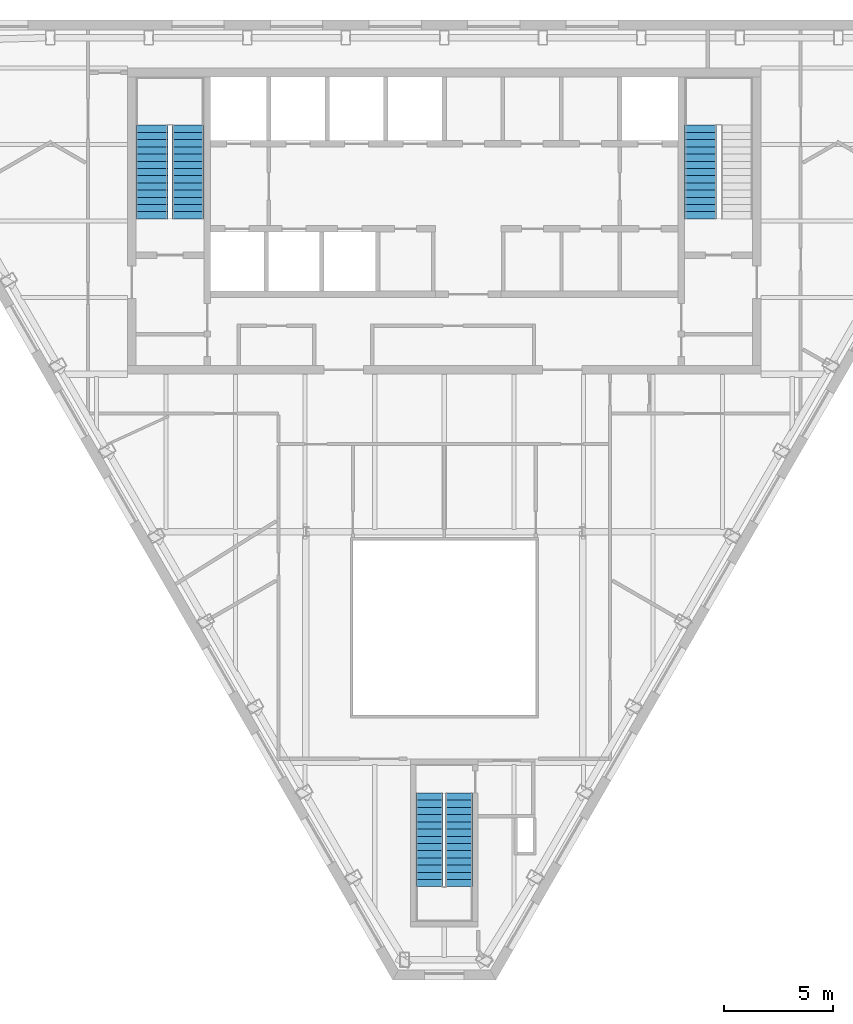
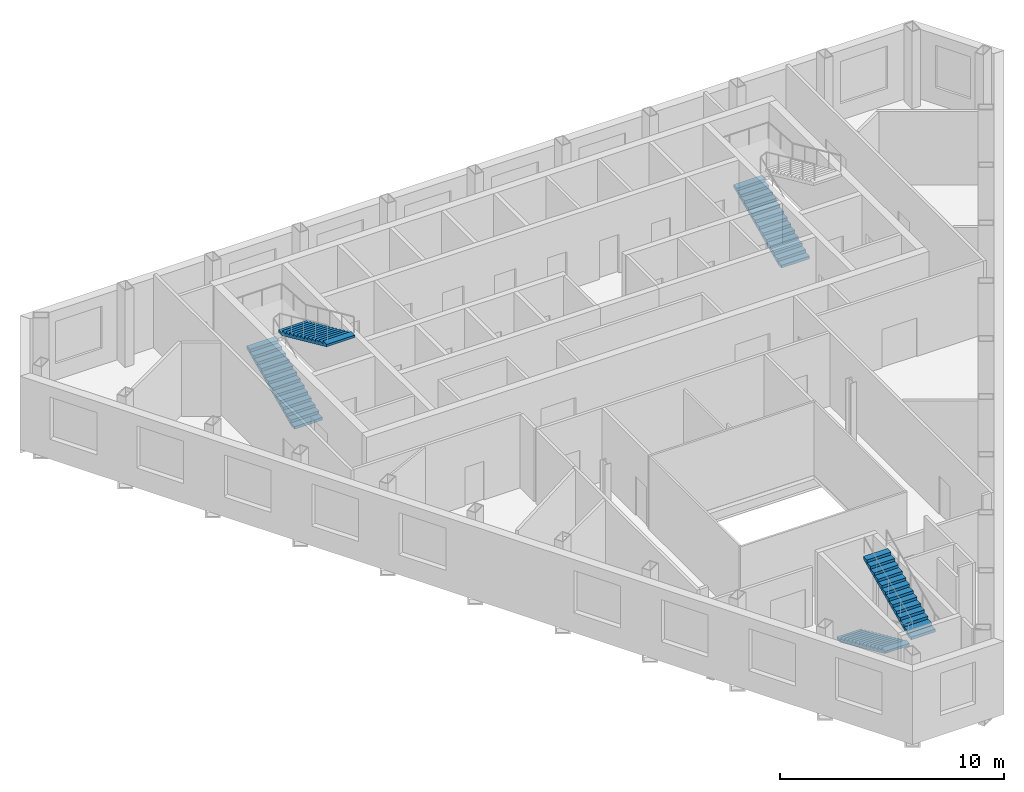
# One storey, part 8 of 10: 5 stair flights, 3 elements without a shape of their own.
"""IFC4 building model written with IfcOpenShell, lengths in metres."""

from ifc_helpers import new_model, si_unit, direction, frame, origin, place, context, subcontext, project, spatial, polygons, material, type_object, element, aggregate, save


model = new_model("IFC4")

# Units and contexts
model_context = context("Model", 3, precision=1e-05, world=origin(), true_north=direction((0.0, 1.0)))
body_context = subcontext(model_context, "Body", "Model", "MODEL_VIEW")
ifc_project = project(units=[si_unit("LENGTHUNIT", "METRE"), si_unit("AREAUNIT", "SQUARE_METRE"), si_unit("VOLUMEUNIT", "CUBIC_METRE"), si_unit("PLANEANGLEUNIT", "RADIAN"), si_unit("MASSUNIT", "GRAM", prefix="KILO")], contexts=[model_context])

# Site, building, storey
site_placement = place(None, origin())
site = spatial("IfcSite", under=ifc_project, at=site_placement, CompositionType="ELEMENT")
building_placement = place(site_placement, origin())
building = spatial("IfcBuilding", under=site, at=building_placement, Name="Njiva Tower", CompositionType="ELEMENT")
storey_placement = place(building_placement, frame((0.0, 0.0, 304.2)))
storey = spatial("IfcBuildingStorey", under=building, at=storey_placement, Name="L69", CompositionType="ELEMENT", Elevation=304.2)

# Stair, stair flights
ifc_material = material(Name="Concrete C40/50", Category="concrete")
stair_type_1 = type_object("IfcStairType", Name="ST1 Exit stair 1250", PredefinedType="HALF_TURN_STAIR", material=ifc_material)
stair_1_placement = place(storey_placement, origin())
stair_1 = element("IfcStair", 1, at=stair_1_placement, inside=storey, type_object=stair_type_1, Name="Stair C", PredefinedType="HALF_TURN_STAIR")
stair_flight_type_1 = type_object("IfcStairFlightType", Name="FL1 Stair flight 1250", PredefinedType="STRAIGHT", material=ifc_material)
stair_flight_1_placement = place(storey_placement, frame((-0.675, -15.16, 0.0), z_axis=(0.0, 0.0, 1.0), x_axis=(0.0, -1.0, 0.0)))
stair_flight_1 = element("IfcStairFlight", 2, at=stair_flight_1_placement, type_object=stair_flight_type_1, Name="ST-C flight 1", NumberOfRisers=14, NumberOfTreads=13, PredefinedType="STRAIGHT", RiserHeight=0.15, TreadLength=0.33, context=body_context, shape_type="Tessellation", body=[
    polygons([(0.0, 0.625, 0.0), (0.0, 0.3125, 0.0), (0.0, 0.0, 0.0), (0.0, -0.3125, 0.0), (0.0, -0.625, 0.0), (0.0, 0.625, 0.15), (0.0, 0.3125, 0.15), (0.0, 0.0, 0.15), (0.0, -0.3125, 0.15), (0.0, -0.625, 0.15), (0.33, 0.625, 0.15), (0.33, 0.3125, 0.15), (0.33, 0.0, 0.15), (0.33, -0.3125, 0.15), (0.33, -0.625, 0.15), (0.33, 0.625, 0.3), (0.33, 0.3125, 0.3), (0.33, 0.0, 0.3), (0.33, -0.3125, 0.3), (0.33, -0.625, 0.3), (0.66, 0.625, 0.3), (0.66, 0.3125, 0.3), (0.66, 0.0, 0.3), (0.66, -0.3125, 0.3), (0.66, -0.625, 0.3), (0.66, 0.625, 0.45), (0.66, 0.3125, 0.45), (0.66, 0.0, 0.45), (0.66, -0.3125, 0.45), (0.66, -0.625, 0.45), (0.99, 0.625, 0.45), (0.99, 0.3125, 0.45), (0.99, 0.0, 0.45), (0.99, -0.3125, 0.45), (0.99, -0.625, 0.45), (0.99, 0.625, 0.6), (0.99, 0.3125, 0.6), (0.99, 0.0, 0.6), (0.99, -0.3125, 0.6), (0.99, -0.625, 0.6), (1.32, 0.625, 0.6), (1.32, 0.3125, 0.6), (1.32, 0.0, 0.6), (1.32, -0.3125, 0.6), (1.32, -0.625, 0.6), (1.32, 0.625, 0.75), (1.32, 0.3125, 0.75), (1.32, 0.0, 0.75), (1.32, -0.3125, 0.75), (1.32, -0.625, 0.75), (1.65, 0.625, 0.75), (1.65, 0.3125, 0.75), (1.65, 0.0, 0.75), (1.65, -0.3125, 0.75), (1.65, -0.625, 0.75), (1.65, 0.625, 0.9), (1.65, 0.3125, 0.9), (1.65, 0.0, 0.9), (1.65, -0.3125, 0.9), (1.65, -0.625, 0.9), (1.98, 0.625, 0.9), (1.98, 0.3125, 0.9), (1.98, 0.0, 0.9), (1.98, -0.3125, 0.9), (1.98, -0.625, 0.9), (1.98, 0.625, 1.05), (1.98, 0.3125, 1.05), (1.98, 0.0, 1.05), (1.98, -0.3125, 1.05), (1.98, -0.625, 1.05), (2.31, 0.625, 1.05), (2.31, 0.3125, 1.05), (2.31, 0.0, 1.05), (2.31, -0.3125, 1.05), (2.31, -0.625, 1.05), (2.31, 0.625, 1.2), (2.31, 0.3125, 1.2), (2.31, 0.0, 1.2), (2.31, -0.3125, 1.2), (2.31, -0.625, 1.2), (2.64, 0.625, 1.2), (2.64, 0.3125, 1.2), (2.64, 0.0, 1.2), (2.64, -0.3125, 1.2), (2.64, -0.625, 1.2), (2.64, 0.625, 1.35), (2.64, 0.3125, 1.35), (2.64, 0.0, 1.35), (2.64, -0.3125, 1.35), (2.64, -0.625, 1.35), (2.97, 0.625, 1.35), (2.97, 0.3125, 1.35), (2.97, 0.0, 1.35), (2.97, -0.3125, 1.35), (2.97, -0.625, 1.35), (2.97, 0.625, 1.5), (2.97, 0.3125, 1.5), (2.97, 0.0, 1.5), (2.97, -0.3125, 1.5), (2.97, -0.625, 1.5), (3.3, 0.625, 1.5), (3.3, 0.3125, 1.5), (3.3, 0.0, 1.5), (3.3, -0.3125, 1.5), (3.3, -0.625, 1.5), (3.3, 0.625, 1.65), (3.3, 0.3125, 1.65), (3.3, 0.0, 1.65), (3.3, -0.3125, 1.65), (3.3, -0.625, 1.65), (3.63, 0.625, 1.65), (3.63, 0.3125, 1.65), (3.63, 0.0, 1.65), (3.63, -0.3125, 1.65), (3.63, -0.625, 1.65), (3.63, 0.625, 1.8), (3.63, 0.3125, 1.8), (3.63, 0.0, 1.8), (3.63, -0.3125, 1.8), (3.63, -0.625, 1.8), (3.96, 0.625, 1.8), (3.96, 0.3125, 1.8), (3.96, 0.0, 1.8), (3.96, -0.3125, 1.8), (3.96, -0.625, 1.8), (3.96, 0.625, 1.95), (3.96, 0.3125, 1.95), (3.96, 0.0, 1.95), (3.96, -0.3125, 1.95), (3.96, -0.625, 1.95), (4.29, 0.625, 1.95), (4.29, 0.3125, 1.95), (4.29, 0.0, 1.95), (4.29, -0.3125, 1.95), (4.29, -0.625, 1.95), (4.29, 0.625, 1.8182), (4.29, 0.3125, 1.8182), (4.29, 0.0, 1.8182), (4.29, -0.3125, 1.8182), (4.29, -0.625, 1.8182), (0.29, 0.625, 0.0), (0.29, 0.3125, 0.0), (0.29, 0.0, 0.0), (0.29, -0.3125, 0.0), (0.29, -0.625, 0.0)], [[[1, 6, 11, 16, 21, 26, 31, 36, 41, 46, 51, 56, 61, 66, 71, 76, 81, 86, 91, 96, 101, 106, 111, 116, 121, 126, 131, 136, 141]], [[145, 140, 135, 130, 125, 120, 115, 110, 105, 100, 95, 90, 85, 80, 75, 70, 65, 60, 55, 50, 45, 40, 35, 30, 25, 20, 15, 10, 5]], [[6, 1, 2, 7]], [[7, 2, 3, 8]], [[8, 3, 4, 9]], [[9, 4, 5, 10]], [[11, 6, 7, 12]], [[12, 7, 8, 13]], [[13, 8, 9, 14]], [[14, 9, 10, 15]], [[16, 11, 12, 17]], [[17, 12, 13, 18]], [[18, 13, 14, 19]], [[19, 14, 15, 20]], [[21, 16, 17, 22]], [[22, 17, 18, 23]], [[23, 18, 19, 24]], [[24, 19, 20, 25]], [[26, 21, 22, 27]], [[27, 22, 23, 28]], [[28, 23, 24, 29]], [[29, 24, 25, 30]], [[31, 26, 27, 32]], [[32, 27, 28, 33]], [[33, 28, 29, 34]], [[34, 29, 30, 35]], [[36, 31, 32, 37]], [[37, 32, 33, 38]], [[38, 33, 34, 39]], [[39, 34, 35, 40]], [[41, 36, 37, 42]], [[42, 37, 38, 43]], [[43, 38, 39, 44]], [[44, 39, 40, 45]], [[46, 41, 42, 47]], [[47, 42, 43, 48]], [[48, 43, 44, 49]], [[49, 44, 45, 50]], [[51, 46, 47, 52]], [[52, 47, 48, 53]], [[53, 48, 49, 54]], [[54, 49, 50, 55]], [[56, 51, 52, 57]], [[57, 52, 53, 58]], [[58, 53, 54, 59]], [[59, 54, 55, 60]], [[61, 56, 57, 62]], [[62, 57, 58, 63]], [[63, 58, 59, 64]], [[64, 59, 60, 65]], [[66, 61, 62, 67]], [[67, 62, 63, 68]], [[68, 63, 64, 69]], [[69, 64, 65, 70]], [[71, 66, 67, 72]], [[72, 67, 68, 73]], [[73, 68, 69, 74]], [[74, 69, 70, 75]], [[76, 71, 72, 77]], [[77, 72, 73, 78]], [[78, 73, 74, 79]], [[79, 74, 75, 80]], [[81, 76, 77, 82]], [[82, 77, 78, 83]], [[83, 78, 79, 84]], [[84, 79, 80, 85]], [[86, 81, 82, 87]], [[87, 82, 83, 88]], [[88, 83, 84, 89]], [[89, 84, 85, 90]], [[91, 86, 87, 92]], [[92, 87, 88, 93]], [[93, 88, 89, 94]], [[94, 89, 90, 95]], [[96, 91, 92, 97]], [[97, 92, 93, 98]], [[98, 93, 94, 99]], [[99, 94, 95, 100]], [[101, 96, 97, 102]], [[102, 97, 98, 103]], [[103, 98, 99, 104]], [[104, 99, 100, 105]], [[106, 101, 102, 107]], [[107, 102, 103, 108]], [[108, 103, 104, 109]], [[109, 104, 105, 110]], [[111, 106, 107, 112]], [[112, 107, 108, 113]], [[113, 108, 109, 114]], [[114, 109, 110, 115]], [[116, 111, 112, 117]], [[117, 112, 113, 118]], [[118, 113, 114, 119]], [[119, 114, 115, 120]], [[121, 116, 117, 122]], [[122, 117, 118, 123]], [[123, 118, 119, 124]], [[124, 119, 120, 125]], [[126, 121, 122, 127]], [[127, 122, 123, 128]], [[128, 123, 124, 129]], [[129, 124, 125, 130]], [[131, 126, 127, 132]], [[132, 127, 128, 133]], [[133, 128, 129, 134]], [[134, 129, 130, 135]], [[136, 131, 132, 137]], [[137, 132, 133, 138]], [[138, 133, 134, 139]], [[139, 134, 135, 140]], [[141, 136, 137, 142]], [[142, 137, 138, 143]], [[143, 138, 139, 144]], [[144, 139, 140, 145]], [[1, 141, 142, 2]], [[2, 142, 143, 3]], [[3, 143, 144, 4]], [[4, 144, 145, 5]]], closed=True),
])
stair_flight_2_placement = place(storey_placement, frame((0.675, -19.45, 2.1), z_axis=(0.0, 0.0, 1.0), x_axis=(0.0, 1.0, 0.0)))
stair_flight_2 = element("IfcStairFlight", 3, at=stair_flight_2_placement, type_object=stair_flight_type_1, Name="ST-C flight 2", NumberOfRisers=14, NumberOfTreads=13, PredefinedType="STRAIGHT", RiserHeight=0.15, TreadLength=0.33, context=body_context, shape_type="Tessellation", body=[
    polygons([(0.0, 0.625, 0.0), (0.0, 0.3125, 0.0), (0.0, 0.0, 0.0), (0.0, -0.3125, 0.0), (0.0, -0.625, 0.0), (0.0, 0.625, 0.15), (0.0, 0.3125, 0.15), (0.0, 0.0, 0.15), (0.0, -0.3125, 0.15), (0.0, -0.625, 0.15), (0.33, 0.625, 0.15), (0.33, 0.3125, 0.15), (0.33, 0.0, 0.15), (0.33, -0.3125, 0.15), (0.33, -0.625, 0.15), (0.33, 0.625, 0.3), (0.33, 0.3125, 0.3), (0.33, 0.0, 0.3), (0.33, -0.3125, 0.3), (0.33, -0.625, 0.3), (0.66, 0.625, 0.3), (0.66, 0.3125, 0.3), (0.66, 0.0, 0.3), (0.66, -0.3125, 0.3), (0.66, -0.625, 0.3), (0.66, 0.625, 0.45), (0.66, 0.3125, 0.45), (0.66, 0.0, 0.45), (0.66, -0.3125, 0.45), (0.66, -0.625, 0.45), (0.99, 0.625, 0.45), (0.99, 0.3125, 0.45), (0.99, 0.0, 0.45), (0.99, -0.3125, 0.45), (0.99, -0.625, 0.45), (0.99, 0.625, 0.6), (0.99, 0.3125, 0.6), (0.99, 0.0, 0.6), (0.99, -0.3125, 0.6), (0.99, -0.625, 0.6), (1.32, 0.625, 0.6), (1.32, 0.3125, 0.6), (1.32, 0.0, 0.6), (1.32, -0.3125, 0.6), (1.32, -0.625, 0.6), (1.32, 0.625, 0.75), (1.32, 0.3125, 0.75), (1.32, 0.0, 0.75), (1.32, -0.3125, 0.75), (1.32, -0.625, 0.75), (1.65, 0.625, 0.75), (1.65, 0.3125, 0.75), (1.65, 0.0, 0.75), (1.65, -0.3125, 0.75), (1.65, -0.625, 0.75), (1.65, 0.625, 0.9), (1.65, 0.3125, 0.9), (1.65, 0.0, 0.9), (1.65, -0.3125, 0.9), (1.65, -0.625, 0.9), (1.98, 0.625, 0.9), (1.98, 0.3125, 0.9), (1.98, 0.0, 0.9), (1.98, -0.3125, 0.9), (1.98, -0.625, 0.9), (1.98, 0.625, 1.05), (1.98, 0.3125, 1.05), (1.98, 0.0, 1.05), (1.98, -0.3125, 1.05), (1.98, -0.625, 1.05), (2.31, 0.625, 1.05), (2.31, 0.3125, 1.05), (2.31, 0.0, 1.05), (2.31, -0.3125, 1.05), (2.31, -0.625, 1.05), (2.31, 0.625, 1.2), (2.31, 0.3125, 1.2), (2.31, 0.0, 1.2), (2.31, -0.3125, 1.2), (2.31, -0.625, 1.2), (2.64, 0.625, 1.2), (2.64, 0.3125, 1.2), (2.64, 0.0, 1.2), (2.64, -0.3125, 1.2), (2.64, -0.625, 1.2), (2.64, 0.625, 1.35), (2.64, 0.3125, 1.35), (2.64, 0.0, 1.35), (2.64, -0.3125, 1.35), (2.64, -0.625, 1.35), (2.97, 0.625, 1.35), (2.97, 0.3125, 1.35), (2.97, 0.0, 1.35), (2.97, -0.3125, 1.35), (2.97, -0.625, 1.35), (2.97, 0.625, 1.5), (2.97, 0.3125, 1.5), (2.97, 0.0, 1.5), (2.97, -0.3125, 1.5), (2.97, -0.625, 1.5), (3.3, 0.625, 1.5), (3.3, 0.3125, 1.5), (3.3, 0.0, 1.5), (3.3, -0.3125, 1.5), (3.3, -0.625, 1.5), (3.3, 0.625, 1.65), (3.3, 0.3125, 1.65), (3.3, 0.0, 1.65), (3.3, -0.3125, 1.65), (3.3, -0.625, 1.65), (3.63, 0.625, 1.65), (3.63, 0.3125, 1.65), (3.63, 0.0, 1.65), (3.63, -0.3125, 1.65), (3.63, -0.625, 1.65), (3.63, 0.625, 1.8), (3.63, 0.3125, 1.8), (3.63, 0.0, 1.8), (3.63, -0.3125, 1.8), (3.63, -0.625, 1.8), (3.96, 0.625, 1.8), (3.96, 0.3125, 1.8), (3.96, 0.0, 1.8), (3.96, -0.3125, 1.8), (3.96, -0.625, 1.8), (3.96, 0.625, 1.95), (3.96, 0.3125, 1.95), (3.96, 0.0, 1.95), (3.96, -0.3125, 1.95), (3.96, -0.625, 1.95), (4.29, 0.625, 1.95), (4.29, 0.3125, 1.95), (4.29, 0.0, 1.95), (4.29, -0.3125, 1.95), (4.29, -0.625, 1.95), (4.29, 0.625, 1.8182), (4.29, 0.3125, 1.8182), (4.29, 0.0, 1.8182), (4.29, -0.3125, 1.8182), (4.29, -0.625, 1.8182), (0.29, 0.625, 0.0), (0.29, 0.3125, 0.0), (0.29, 0.0, 0.0), (0.29, -0.3125, 0.0), (0.29, -0.625, 0.0)], [[[1, 6, 11, 16, 21, 26, 31, 36, 41, 46, 51, 56, 61, 66, 71, 76, 81, 86, 91, 96, 101, 106, 111, 116, 121, 126, 131, 136, 141]], [[145, 140, 135, 130, 125, 120, 115, 110, 105, 100, 95, 90, 85, 80, 75, 70, 65, 60, 55, 50, 45, 40, 35, 30, 25, 20, 15, 10, 5]], [[6, 1, 2, 7]], [[7, 2, 3, 8]], [[8, 3, 4, 9]], [[9, 4, 5, 10]], [[11, 6, 7, 12]], [[12, 7, 8, 13]], [[13, 8, 9, 14]], [[14, 9, 10, 15]], [[16, 11, 12, 17]], [[17, 12, 13, 18]], [[18, 13, 14, 19]], [[19, 14, 15, 20]], [[21, 16, 17, 22]], [[22, 17, 18, 23]], [[23, 18, 19, 24]], [[24, 19, 20, 25]], [[26, 21, 22, 27]], [[27, 22, 23, 28]], [[28, 23, 24, 29]], [[29, 24, 25, 30]], [[31, 26, 27, 32]], [[32, 27, 28, 33]], [[33, 28, 29, 34]], [[34, 29, 30, 35]], [[36, 31, 32, 37]], [[37, 32, 33, 38]], [[38, 33, 34, 39]], [[39, 34, 35, 40]], [[41, 36, 37, 42]], [[42, 37, 38, 43]], [[43, 38, 39, 44]], [[44, 39, 40, 45]], [[46, 41, 42, 47]], [[47, 42, 43, 48]], [[48, 43, 44, 49]], [[49, 44, 45, 50]], [[51, 46, 47, 52]], [[52, 47, 48, 53]], [[53, 48, 49, 54]], [[54, 49, 50, 55]], [[56, 51, 52, 57]], [[57, 52, 53, 58]], [[58, 53, 54, 59]], [[59, 54, 55, 60]], [[61, 56, 57, 62]], [[62, 57, 58, 63]], [[63, 58, 59, 64]], [[64, 59, 60, 65]], [[66, 61, 62, 67]], [[67, 62, 63, 68]], [[68, 63, 64, 69]], [[69, 64, 65, 70]], [[71, 66, 67, 72]], [[72, 67, 68, 73]], [[73, 68, 69, 74]], [[74, 69, 70, 75]], [[76, 71, 72, 77]], [[77, 72, 73, 78]], [[78, 73, 74, 79]], [[79, 74, 75, 80]], [[81, 76, 77, 82]], [[82, 77, 78, 83]], [[83, 78, 79, 84]], [[84, 79, 80, 85]], [[86, 81, 82, 87]], [[87, 82, 83, 88]], [[88, 83, 84, 89]], [[89, 84, 85, 90]], [[91, 86, 87, 92]], [[92, 87, 88, 93]], [[93, 88, 89, 94]], [[94, 89, 90, 95]], [[96, 91, 92, 97]], [[97, 92, 93, 98]], [[98, 93, 94, 99]], [[99, 94, 95, 100]], [[101, 96, 97, 102]], [[102, 97, 98, 103]], [[103, 98, 99, 104]], [[104, 99, 100, 105]], [[106, 101, 102, 107]], [[107, 102, 103, 108]], [[108, 103, 104, 109]], [[109, 104, 105, 110]], [[111, 106, 107, 112]], [[112, 107, 108, 113]], [[113, 108, 109, 114]], [[114, 109, 110, 115]], [[116, 111, 112, 117]], [[117, 112, 113, 118]], [[118, 113, 114, 119]], [[119, 114, 115, 120]], [[121, 116, 117, 122]], [[122, 117, 118, 123]], [[123, 118, 119, 124]], [[124, 119, 120, 125]], [[126, 121, 122, 127]], [[127, 122, 123, 128]], [[128, 123, 124, 129]], [[129, 124, 125, 130]], [[131, 126, 127, 132]], [[132, 127, 128, 133]], [[133, 128, 129, 134]], [[134, 129, 130, 135]], [[136, 131, 132, 137]], [[137, 132, 133, 138]], [[138, 133, 134, 139]], [[139, 134, 135, 140]], [[141, 136, 137, 142]], [[142, 137, 138, 143]], [[143, 138, 139, 144]], [[144, 139, 140, 145]], [[1, 141, 142, 2]], [[2, 142, 143, 3]], [[3, 143, 144, 4]], [[4, 144, 145, 5]]], closed=True),
])
aggregate(stair_1, [stair_flight_1, stair_flight_2])

stair_type_2 = type_object("IfcStairType", Name="ST3 Exit stair 1450", PredefinedType="HALF_TURN_STAIR", material=ifc_material)
stair_2_placement = place(storey_placement, origin())
stair_2 = element("IfcStair", 4, at=stair_2_placement, inside=storey, type_object=stair_type_2, Name="Stair A", PredefinedType="HALF_TURN_STAIR")
stair_flight_type_2 = type_object("IfcStairFlightType", Name="FL3 Stair flight 1450", PredefinedType="STRAIGHT", material=ifc_material)
stair_flight_3_placement = place(storey_placement, frame((-13.375, 11.1, 0.0), z_axis=(0.0, 0.0, 1.0), x_axis=(0.0, 1.0, 0.0)))
stair_flight_3 = element("IfcStairFlight", 5, at=stair_flight_3_placement, type_object=stair_flight_type_2, Name="ST-A flight 1", NumberOfRisers=14, NumberOfTreads=13, PredefinedType="STRAIGHT", RiserHeight=0.15, TreadLength=0.33, context=body_context, shape_type="Tessellation", body=[
    polygons([(0.0, 0.725, 0.0), (0.0, 0.3625, 0.0), (0.0, 0.0, 0.0), (0.0, -0.3625, 0.0), (0.0, -0.725, 0.0), (0.0, 0.725, 0.15), (0.0, 0.3625, 0.15), (0.0, 0.0, 0.15), (0.0, -0.3625, 0.15), (0.0, -0.725, 0.15), (0.33, 0.725, 0.15), (0.33, 0.3625, 0.15), (0.33, 0.0, 0.15), (0.33, -0.3625, 0.15), (0.33, -0.725, 0.15), (0.33, 0.725, 0.3), (0.33, 0.3625, 0.3), (0.33, 0.0, 0.3), (0.33, -0.3625, 0.3), (0.33, -0.725, 0.3), (0.66, 0.725, 0.3), (0.66, 0.3625, 0.3), (0.66, 0.0, 0.3), (0.66, -0.3625, 0.3), (0.66, -0.725, 0.3), (0.66, 0.725, 0.45), (0.66, 0.3625, 0.45), (0.66, 0.0, 0.45), (0.66, -0.3625, 0.45), (0.66, -0.725, 0.45), (0.99, 0.725, 0.45), (0.99, 0.3625, 0.45), (0.99, 0.0, 0.45), (0.99, -0.3625, 0.45), (0.99, -0.725, 0.45), (0.99, 0.725, 0.6), (0.99, 0.3625, 0.6), (0.99, 0.0, 0.6), (0.99, -0.3625, 0.6), (0.99, -0.725, 0.6), (1.32, 0.725, 0.6), (1.32, 0.3625, 0.6), (1.32, 0.0, 0.6), (1.32, -0.3625, 0.6), (1.32, -0.725, 0.6), (1.32, 0.725, 0.75), (1.32, 0.3625, 0.75), (1.32, 0.0, 0.75), (1.32, -0.3625, 0.75), (1.32, -0.725, 0.75), (1.65, 0.725, 0.75), (1.65, 0.3625, 0.75), (1.65, 0.0, 0.75), (1.65, -0.3625, 0.75), (1.65, -0.725, 0.75), (1.65, 0.725, 0.9), (1.65, 0.3625, 0.9), (1.65, 0.0, 0.9), (1.65, -0.3625, 0.9), (1.65, -0.725, 0.9), (1.98, 0.725, 0.9), (1.98, 0.3625, 0.9), (1.98, 0.0, 0.9), (1.98, -0.3625, 0.9), (1.98, -0.725, 0.9), (1.98, 0.725, 1.05), (1.98, 0.3625, 1.05), (1.98, 0.0, 1.05), (1.98, -0.3625, 1.05), (1.98, -0.725, 1.05), (2.31, 0.725, 1.05), (2.31, 0.3625, 1.05), (2.31, 0.0, 1.05), (2.31, -0.3625, 1.05), (2.31, -0.725, 1.05), (2.31, 0.725, 1.2), (2.31, 0.3625, 1.2), (2.31, 0.0, 1.2), (2.31, -0.3625, 1.2), (2.31, -0.725, 1.2), (2.64, 0.725, 1.2), (2.64, 0.3625, 1.2), (2.64, 0.0, 1.2), (2.64, -0.3625, 1.2), (2.64, -0.725, 1.2), (2.64, 0.725, 1.35), (2.64, 0.3625, 1.35), (2.64, 0.0, 1.35), (2.64, -0.3625, 1.35), (2.64, -0.725, 1.35), (2.97, 0.725, 1.35), (2.97, 0.3625, 1.35), (2.97, 0.0, 1.35), (2.97, -0.3625, 1.35), (2.97, -0.725, 1.35), (2.97, 0.725, 1.5), (2.97, 0.3625, 1.5), (2.97, 0.0, 1.5), (2.97, -0.3625, 1.5), (2.97, -0.725, 1.5), (3.3, 0.725, 1.5), (3.3, 0.3625, 1.5), (3.3, 0.0, 1.5), (3.3, -0.3625, 1.5), (3.3, -0.725, 1.5), (3.3, 0.725, 1.65), (3.3, 0.3625, 1.65), (3.3, 0.0, 1.65), (3.3, -0.3625, 1.65), (3.3, -0.725, 1.65), (3.63, 0.725, 1.65), (3.63, 0.3625, 1.65), (3.63, 0.0, 1.65), (3.63, -0.3625, 1.65), (3.63, -0.725, 1.65), (3.63, 0.725, 1.8), (3.63, 0.3625, 1.8), (3.63, 0.0, 1.8), (3.63, -0.3625, 1.8), (3.63, -0.725, 1.8), (3.96, 0.725, 1.8), (3.96, 0.3625, 1.8), (3.96, 0.0, 1.8), (3.96, -0.3625, 1.8), (3.96, -0.725, 1.8), (3.96, 0.725, 1.95), (3.96, 0.3625, 1.95), (3.96, 0.0, 1.95), (3.96, -0.3625, 1.95), (3.96, -0.725, 1.95), (4.29, 0.725, 1.95), (4.29, 0.3625, 1.95), (4.29, 0.0, 1.95), (4.29, -0.3625, 1.95), (4.29, -0.725, 1.95), (4.29, 0.725, 1.8182), (4.29, 0.3625, 1.8182), (4.29, 0.0, 1.8182), (4.29, -0.3625, 1.8182), (4.29, -0.725, 1.8182), (0.29, 0.725, 0.0), (0.29, 0.3625, 0.0), (0.29, 0.0, 0.0), (0.29, -0.3625, 0.0), (0.29, -0.725, 0.0)], [[[1, 6, 11, 16, 21, 26, 31, 36, 41, 46, 51, 56, 61, 66, 71, 76, 81, 86, 91, 96, 101, 106, 111, 116, 121, 126, 131, 136, 141]], [[145, 140, 135, 130, 125, 120, 115, 110, 105, 100, 95, 90, 85, 80, 75, 70, 65, 60, 55, 50, 45, 40, 35, 30, 25, 20, 15, 10, 5]], [[6, 1, 2, 7]], [[7, 2, 3, 8]], [[8, 3, 4, 9]], [[9, 4, 5, 10]], [[11, 6, 7, 12]], [[12, 7, 8, 13]], [[13, 8, 9, 14]], [[14, 9, 10, 15]], [[16, 11, 12, 17]], [[17, 12, 13, 18]], [[18, 13, 14, 19]], [[19, 14, 15, 20]], [[21, 16, 17, 22]], [[22, 17, 18, 23]], [[23, 18, 19, 24]], [[24, 19, 20, 25]], [[26, 21, 22, 27]], [[27, 22, 23, 28]], [[28, 23, 24, 29]], [[29, 24, 25, 30]], [[31, 26, 27, 32]], [[32, 27, 28, 33]], [[33, 28, 29, 34]], [[34, 29, 30, 35]], [[36, 31, 32, 37]], [[37, 32, 33, 38]], [[38, 33, 34, 39]], [[39, 34, 35, 40]], [[41, 36, 37, 42]], [[42, 37, 38, 43]], [[43, 38, 39, 44]], [[44, 39, 40, 45]], [[46, 41, 42, 47]], [[47, 42, 43, 48]], [[48, 43, 44, 49]], [[49, 44, 45, 50]], [[51, 46, 47, 52]], [[52, 47, 48, 53]], [[53, 48, 49, 54]], [[54, 49, 50, 55]], [[56, 51, 52, 57]], [[57, 52, 53, 58]], [[58, 53, 54, 59]], [[59, 54, 55, 60]], [[61, 56, 57, 62]], [[62, 57, 58, 63]], [[63, 58, 59, 64]], [[64, 59, 60, 65]], [[66, 61, 62, 67]], [[67, 62, 63, 68]], [[68, 63, 64, 69]], [[69, 64, 65, 70]], [[71, 66, 67, 72]], [[72, 67, 68, 73]], [[73, 68, 69, 74]], [[74, 69, 70, 75]], [[76, 71, 72, 77]], [[77, 72, 73, 78]], [[78, 73, 74, 79]], [[79, 74, 75, 80]], [[81, 76, 77, 82]], [[82, 77, 78, 83]], [[83, 78, 79, 84]], [[84, 79, 80, 85]], [[86, 81, 82, 87]], [[87, 82, 83, 88]], [[88, 83, 84, 89]], [[89, 84, 85, 90]], [[91, 86, 87, 92]], [[92, 87, 88, 93]], [[93, 88, 89, 94]], [[94, 89, 90, 95]], [[96, 91, 92, 97]], [[97, 92, 93, 98]], [[98, 93, 94, 99]], [[99, 94, 95, 100]], [[101, 96, 97, 102]], [[102, 97, 98, 103]], [[103, 98, 99, 104]], [[104, 99, 100, 105]], [[106, 101, 102, 107]], [[107, 102, 103, 108]], [[108, 103, 104, 109]], [[109, 104, 105, 110]], [[111, 106, 107, 112]], [[112, 107, 108, 113]], [[113, 108, 109, 114]], [[114, 109, 110, 115]], [[116, 111, 112, 117]], [[117, 112, 113, 118]], [[118, 113, 114, 119]], [[119, 114, 115, 120]], [[121, 116, 117, 122]], [[122, 117, 118, 123]], [[123, 118, 119, 124]], [[124, 119, 120, 125]], [[126, 121, 122, 127]], [[127, 122, 123, 128]], [[128, 123, 124, 129]], [[129, 124, 125, 130]], [[131, 126, 127, 132]], [[132, 127, 128, 133]], [[133, 128, 129, 134]], [[134, 129, 130, 135]], [[136, 131, 132, 137]], [[137, 132, 133, 138]], [[138, 133, 134, 139]], [[139, 134, 135, 140]], [[141, 136, 137, 142]], [[142, 137, 138, 143]], [[143, 138, 139, 144]], [[144, 139, 140, 145]], [[1, 141, 142, 2]], [[2, 142, 143, 3]], [[3, 143, 144, 4]], [[4, 144, 145, 5]]], closed=True),
])
stair_flight_4_placement = place(storey_placement, frame((-11.725, 15.39, 2.1), z_axis=(0.0, 0.0, 1.0), x_axis=(0.0, -1.0, 0.0)))
stair_flight_4 = element("IfcStairFlight", 6, at=stair_flight_4_placement, type_object=stair_flight_type_2, Name="ST-A flight 2", NumberOfRisers=14, NumberOfTreads=13, PredefinedType="STRAIGHT", RiserHeight=0.15, TreadLength=0.33, context=body_context, shape_type="Tessellation", body=[
    polygons([(0.0, 0.725, 0.0), (0.0, 0.3625, 0.0), (0.0, 0.0, 0.0), (0.0, -0.3625, 0.0), (0.0, -0.725, 0.0), (0.0, 0.725, 0.15), (0.0, 0.3625, 0.15), (0.0, 0.0, 0.15), (0.0, -0.3625, 0.15), (0.0, -0.725, 0.15), (0.33, 0.725, 0.15), (0.33, 0.3625, 0.15), (0.33, 0.0, 0.15), (0.33, -0.3625, 0.15), (0.33, -0.725, 0.15), (0.33, 0.725, 0.3), (0.33, 0.3625, 0.3), (0.33, 0.0, 0.3), (0.33, -0.3625, 0.3), (0.33, -0.725, 0.3), (0.66, 0.725, 0.3), (0.66, 0.3625, 0.3), (0.66, 0.0, 0.3), (0.66, -0.3625, 0.3), (0.66, -0.725, 0.3), (0.66, 0.725, 0.45), (0.66, 0.3625, 0.45), (0.66, 0.0, 0.45), (0.66, -0.3625, 0.45), (0.66, -0.725, 0.45), (0.99, 0.725, 0.45), (0.99, 0.3625, 0.45), (0.99, 0.0, 0.45), (0.99, -0.3625, 0.45), (0.99, -0.725, 0.45), (0.99, 0.725, 0.6), (0.99, 0.3625, 0.6), (0.99, 0.0, 0.6), (0.99, -0.3625, 0.6), (0.99, -0.725, 0.6), (1.32, 0.725, 0.6), (1.32, 0.3625, 0.6), (1.32, 0.0, 0.6), (1.32, -0.3625, 0.6), (1.32, -0.725, 0.6), (1.32, 0.725, 0.75), (1.32, 0.3625, 0.75), (1.32, 0.0, 0.75), (1.32, -0.3625, 0.75), (1.32, -0.725, 0.75), (1.65, 0.725, 0.75), (1.65, 0.3625, 0.75), (1.65, 0.0, 0.75), (1.65, -0.3625, 0.75), (1.65, -0.725, 0.75), (1.65, 0.725, 0.9), (1.65, 0.3625, 0.9), (1.65, 0.0, 0.9), (1.65, -0.3625, 0.9), (1.65, -0.725, 0.9), (1.98, 0.725, 0.9), (1.98, 0.3625, 0.9), (1.98, 0.0, 0.9), (1.98, -0.3625, 0.9), (1.98, -0.725, 0.9), (1.98, 0.725, 1.05), (1.98, 0.3625, 1.05), (1.98, 0.0, 1.05), (1.98, -0.3625, 1.05), (1.98, -0.725, 1.05), (2.31, 0.725, 1.05), (2.31, 0.3625, 1.05), (2.31, 0.0, 1.05), (2.31, -0.3625, 1.05), (2.31, -0.725, 1.05), (2.31, 0.725, 1.2), (2.31, 0.3625, 1.2), (2.31, 0.0, 1.2), (2.31, -0.3625, 1.2), (2.31, -0.725, 1.2), (2.64, 0.725, 1.2), (2.64, 0.3625, 1.2), (2.64, 0.0, 1.2), (2.64, -0.3625, 1.2), (2.64, -0.725, 1.2), (2.64, 0.725, 1.35), (2.64, 0.3625, 1.35), (2.64, 0.0, 1.35), (2.64, -0.3625, 1.35), (2.64, -0.725, 1.35), (2.97, 0.725, 1.35), (2.97, 0.3625, 1.35), (2.97, 0.0, 1.35), (2.97, -0.3625, 1.35), (2.97, -0.725, 1.35), (2.97, 0.725, 1.5), (2.97, 0.3625, 1.5), (2.97, 0.0, 1.5), (2.97, -0.3625, 1.5), (2.97, -0.725, 1.5), (3.3, 0.725, 1.5), (3.3, 0.3625, 1.5), (3.3, 0.0, 1.5), (3.3, -0.3625, 1.5), (3.3, -0.725, 1.5), (3.3, 0.725, 1.65), (3.3, 0.3625, 1.65), (3.3, 0.0, 1.65), (3.3, -0.3625, 1.65), (3.3, -0.725, 1.65), (3.63, 0.725, 1.65), (3.63, 0.3625, 1.65), (3.63, 0.0, 1.65), (3.63, -0.3625, 1.65), (3.63, -0.725, 1.65), (3.63, 0.725, 1.8), (3.63, 0.3625, 1.8), (3.63, 0.0, 1.8), (3.63, -0.3625, 1.8), (3.63, -0.725, 1.8), (3.96, 0.725, 1.8), (3.96, 0.3625, 1.8), (3.96, 0.0, 1.8), (3.96, -0.3625, 1.8), (3.96, -0.725, 1.8), (3.96, 0.725, 1.95), (3.96, 0.3625, 1.95), (3.96, 0.0, 1.95), (3.96, -0.3625, 1.95), (3.96, -0.725, 1.95), (4.29, 0.725, 1.95), (4.29, 0.3625, 1.95), (4.29, 0.0, 1.95), (4.29, -0.3625, 1.95), (4.29, -0.725, 1.95), (4.29, 0.725, 1.8182), (4.29, 0.3625, 1.8182), (4.29, 0.0, 1.8182), (4.29, -0.3625, 1.8182), (4.29, -0.725, 1.8182), (0.29, 0.725, 0.0), (0.29, 0.3625, 0.0), (0.29, 0.0, 0.0), (0.29, -0.3625, 0.0), (0.29, -0.725, 0.0)], [[[1, 6, 11, 16, 21, 26, 31, 36, 41, 46, 51, 56, 61, 66, 71, 76, 81, 86, 91, 96, 101, 106, 111, 116, 121, 126, 131, 136, 141]], [[145, 140, 135, 130, 125, 120, 115, 110, 105, 100, 95, 90, 85, 80, 75, 70, 65, 60, 55, 50, 45, 40, 35, 30, 25, 20, 15, 10, 5]], [[6, 1, 2, 7]], [[7, 2, 3, 8]], [[8, 3, 4, 9]], [[9, 4, 5, 10]], [[11, 6, 7, 12]], [[12, 7, 8, 13]], [[13, 8, 9, 14]], [[14, 9, 10, 15]], [[16, 11, 12, 17]], [[17, 12, 13, 18]], [[18, 13, 14, 19]], [[19, 14, 15, 20]], [[21, 16, 17, 22]], [[22, 17, 18, 23]], [[23, 18, 19, 24]], [[24, 19, 20, 25]], [[26, 21, 22, 27]], [[27, 22, 23, 28]], [[28, 23, 24, 29]], [[29, 24, 25, 30]], [[31, 26, 27, 32]], [[32, 27, 28, 33]], [[33, 28, 29, 34]], [[34, 29, 30, 35]], [[36, 31, 32, 37]], [[37, 32, 33, 38]], [[38, 33, 34, 39]], [[39, 34, 35, 40]], [[41, 36, 37, 42]], [[42, 37, 38, 43]], [[43, 38, 39, 44]], [[44, 39, 40, 45]], [[46, 41, 42, 47]], [[47, 42, 43, 48]], [[48, 43, 44, 49]], [[49, 44, 45, 50]], [[51, 46, 47, 52]], [[52, 47, 48, 53]], [[53, 48, 49, 54]], [[54, 49, 50, 55]], [[56, 51, 52, 57]], [[57, 52, 53, 58]], [[58, 53, 54, 59]], [[59, 54, 55, 60]], [[61, 56, 57, 62]], [[62, 57, 58, 63]], [[63, 58, 59, 64]], [[64, 59, 60, 65]], [[66, 61, 62, 67]], [[67, 62, 63, 68]], [[68, 63, 64, 69]], [[69, 64, 65, 70]], [[71, 66, 67, 72]], [[72, 67, 68, 73]], [[73, 68, 69, 74]], [[74, 69, 70, 75]], [[76, 71, 72, 77]], [[77, 72, 73, 78]], [[78, 73, 74, 79]], [[79, 74, 75, 80]], [[81, 76, 77, 82]], [[82, 77, 78, 83]], [[83, 78, 79, 84]], [[84, 79, 80, 85]], [[86, 81, 82, 87]], [[87, 82, 83, 88]], [[88, 83, 84, 89]], [[89, 84, 85, 90]], [[91, 86, 87, 92]], [[92, 87, 88, 93]], [[93, 88, 89, 94]], [[94, 89, 90, 95]], [[96, 91, 92, 97]], [[97, 92, 93, 98]], [[98, 93, 94, 99]], [[99, 94, 95, 100]], [[101, 96, 97, 102]], [[102, 97, 98, 103]], [[103, 98, 99, 104]], [[104, 99, 100, 105]], [[106, 101, 102, 107]], [[107, 102, 103, 108]], [[108, 103, 104, 109]], [[109, 104, 105, 110]], [[111, 106, 107, 112]], [[112, 107, 108, 113]], [[113, 108, 109, 114]], [[114, 109, 110, 115]], [[116, 111, 112, 117]], [[117, 112, 113, 118]], [[118, 113, 114, 119]], [[119, 114, 115, 120]], [[121, 116, 117, 122]], [[122, 117, 118, 123]], [[123, 118, 119, 124]], [[124, 119, 120, 125]], [[126, 121, 122, 127]], [[127, 122, 123, 128]], [[128, 123, 124, 129]], [[129, 124, 125, 130]], [[131, 126, 127, 132]], [[132, 127, 128, 133]], [[133, 128, 129, 134]], [[134, 129, 130, 135]], [[136, 131, 132, 137]], [[137, 132, 133, 138]], [[138, 133, 134, 139]], [[139, 134, 135, 140]], [[141, 136, 137, 142]], [[142, 137, 138, 143]], [[143, 138, 139, 144]], [[144, 139, 140, 145]], [[1, 141, 142, 2]], [[2, 142, 143, 3]], [[3, 143, 144, 4]], [[4, 144, 145, 5]]], closed=True),
])
aggregate(stair_2, [stair_flight_3, stair_flight_4])

# Stair, stair flight
stair_3_placement = place(storey_placement, origin())
stair_3 = element("IfcStair", 7, at=stair_3_placement, inside=storey, type_object=stair_type_2, Name="Stair B", PredefinedType="HALF_TURN_STAIR")
stair_flight_5_placement = place(storey_placement, frame((11.725, 11.1, 0.0), z_axis=(0.0, 0.0, 1.0), x_axis=(0.0, 1.0, 0.0)))
stair_flight_5 = element("IfcStairFlight", 8, at=stair_flight_5_placement, type_object=stair_flight_type_2, Name="ST-B flight 1", NumberOfRisers=14, NumberOfTreads=13, PredefinedType="STRAIGHT", RiserHeight=0.15, TreadLength=0.33, context=body_context, shape_type="Tessellation", body=[
    polygons([(0.0, 0.725, 0.0), (0.0, 0.3625, 0.0), (0.0, 0.0, 0.0), (0.0, -0.3625, 0.0), (0.0, -0.725, 0.0), (0.0, 0.725, 0.15), (0.0, 0.3625, 0.15), (0.0, 0.0, 0.15), (0.0, -0.3625, 0.15), (0.0, -0.725, 0.15), (0.33, 0.725, 0.15), (0.33, 0.3625, 0.15), (0.33, 0.0, 0.15), (0.33, -0.3625, 0.15), (0.33, -0.725, 0.15), (0.33, 0.725, 0.3), (0.33, 0.3625, 0.3), (0.33, 0.0, 0.3), (0.33, -0.3625, 0.3), (0.33, -0.725, 0.3), (0.66, 0.725, 0.3), (0.66, 0.3625, 0.3), (0.66, 0.0, 0.3), (0.66, -0.3625, 0.3), (0.66, -0.725, 0.3), (0.66, 0.725, 0.45), (0.66, 0.3625, 0.45), (0.66, 0.0, 0.45), (0.66, -0.3625, 0.45), (0.66, -0.725, 0.45), (0.99, 0.725, 0.45), (0.99, 0.3625, 0.45), (0.99, 0.0, 0.45), (0.99, -0.3625, 0.45), (0.99, -0.725, 0.45), (0.99, 0.725, 0.6), (0.99, 0.3625, 0.6), (0.99, 0.0, 0.6), (0.99, -0.3625, 0.6), (0.99, -0.725, 0.6), (1.32, 0.725, 0.6), (1.32, 0.3625, 0.6), (1.32, 0.0, 0.6), (1.32, -0.3625, 0.6), (1.32, -0.725, 0.6), (1.32, 0.725, 0.75), (1.32, 0.3625, 0.75), (1.32, 0.0, 0.75), (1.32, -0.3625, 0.75), (1.32, -0.725, 0.75), (1.65, 0.725, 0.75), (1.65, 0.3625, 0.75), (1.65, 0.0, 0.75), (1.65, -0.3625, 0.75), (1.65, -0.725, 0.75), (1.65, 0.725, 0.9), (1.65, 0.3625, 0.9), (1.65, 0.0, 0.9), (1.65, -0.3625, 0.9), (1.65, -0.725, 0.9), (1.98, 0.725, 0.9), (1.98, 0.3625, 0.9), (1.98, 0.0, 0.9), (1.98, -0.3625, 0.9), (1.98, -0.725, 0.9), (1.98, 0.725, 1.05), (1.98, 0.3625, 1.05), (1.98, 0.0, 1.05), (1.98, -0.3625, 1.05), (1.98, -0.725, 1.05), (2.31, 0.725, 1.05), (2.31, 0.3625, 1.05), (2.31, 0.0, 1.05), (2.31, -0.3625, 1.05), (2.31, -0.725, 1.05), (2.31, 0.725, 1.2), (2.31, 0.3625, 1.2), (2.31, 0.0, 1.2), (2.31, -0.3625, 1.2), (2.31, -0.725, 1.2), (2.64, 0.725, 1.2), (2.64, 0.3625, 1.2), (2.64, 0.0, 1.2), (2.64, -0.3625, 1.2), (2.64, -0.725, 1.2), (2.64, 0.725, 1.35), (2.64, 0.3625, 1.35), (2.64, 0.0, 1.35), (2.64, -0.3625, 1.35), (2.64, -0.725, 1.35), (2.97, 0.725, 1.35), (2.97, 0.3625, 1.35), (2.97, 0.0, 1.35), (2.97, -0.3625, 1.35), (2.97, -0.725, 1.35), (2.97, 0.725, 1.5), (2.97, 0.3625, 1.5), (2.97, 0.0, 1.5), (2.97, -0.3625, 1.5), (2.97, -0.725, 1.5), (3.3, 0.725, 1.5), (3.3, 0.3625, 1.5), (3.3, 0.0, 1.5), (3.3, -0.3625, 1.5), (3.3, -0.725, 1.5), (3.3, 0.725, 1.65), (3.3, 0.3625, 1.65), (3.3, 0.0, 1.65), (3.3, -0.3625, 1.65), (3.3, -0.725, 1.65), (3.63, 0.725, 1.65), (3.63, 0.3625, 1.65), (3.63, 0.0, 1.65), (3.63, -0.3625, 1.65), (3.63, -0.725, 1.65), (3.63, 0.725, 1.8), (3.63, 0.3625, 1.8), (3.63, 0.0, 1.8), (3.63, -0.3625, 1.8), (3.63, -0.725, 1.8), (3.96, 0.725, 1.8), (3.96, 0.3625, 1.8), (3.96, 0.0, 1.8), (3.96, -0.3625, 1.8), (3.96, -0.725, 1.8), (3.96, 0.725, 1.95), (3.96, 0.3625, 1.95), (3.96, 0.0, 1.95), (3.96, -0.3625, 1.95), (3.96, -0.725, 1.95), (4.29, 0.725, 1.95), (4.29, 0.3625, 1.95), (4.29, 0.0, 1.95), (4.29, -0.3625, 1.95), (4.29, -0.725, 1.95), (4.29, 0.725, 1.8182), (4.29, 0.3625, 1.8182), (4.29, 0.0, 1.8182), (4.29, -0.3625, 1.8182), (4.29, -0.725, 1.8182), (0.29, 0.725, 0.0), (0.29, 0.3625, 0.0), (0.29, 0.0, 0.0), (0.29, -0.3625, 0.0), (0.29, -0.725, 0.0)], [[[1, 6, 11, 16, 21, 26, 31, 36, 41, 46, 51, 56, 61, 66, 71, 76, 81, 86, 91, 96, 101, 106, 111, 116, 121, 126, 131, 136, 141]], [[145, 140, 135, 130, 125, 120, 115, 110, 105, 100, 95, 90, 85, 80, 75, 70, 65, 60, 55, 50, 45, 40, 35, 30, 25, 20, 15, 10, 5]], [[6, 1, 2, 7]], [[7, 2, 3, 8]], [[8, 3, 4, 9]], [[9, 4, 5, 10]], [[11, 6, 7, 12]], [[12, 7, 8, 13]], [[13, 8, 9, 14]], [[14, 9, 10, 15]], [[16, 11, 12, 17]], [[17, 12, 13, 18]], [[18, 13, 14, 19]], [[19, 14, 15, 20]], [[21, 16, 17, 22]], [[22, 17, 18, 23]], [[23, 18, 19, 24]], [[24, 19, 20, 25]], [[26, 21, 22, 27]], [[27, 22, 23, 28]], [[28, 23, 24, 29]], [[29, 24, 25, 30]], [[31, 26, 27, 32]], [[32, 27, 28, 33]], [[33, 28, 29, 34]], [[34, 29, 30, 35]], [[36, 31, 32, 37]], [[37, 32, 33, 38]], [[38, 33, 34, 39]], [[39, 34, 35, 40]], [[41, 36, 37, 42]], [[42, 37, 38, 43]], [[43, 38, 39, 44]], [[44, 39, 40, 45]], [[46, 41, 42, 47]], [[47, 42, 43, 48]], [[48, 43, 44, 49]], [[49, 44, 45, 50]], [[51, 46, 47, 52]], [[52, 47, 48, 53]], [[53, 48, 49, 54]], [[54, 49, 50, 55]], [[56, 51, 52, 57]], [[57, 52, 53, 58]], [[58, 53, 54, 59]], [[59, 54, 55, 60]], [[61, 56, 57, 62]], [[62, 57, 58, 63]], [[63, 58, 59, 64]], [[64, 59, 60, 65]], [[66, 61, 62, 67]], [[67, 62, 63, 68]], [[68, 63, 64, 69]], [[69, 64, 65, 70]], [[71, 66, 67, 72]], [[72, 67, 68, 73]], [[73, 68, 69, 74]], [[74, 69, 70, 75]], [[76, 71, 72, 77]], [[77, 72, 73, 78]], [[78, 73, 74, 79]], [[79, 74, 75, 80]], [[81, 76, 77, 82]], [[82, 77, 78, 83]], [[83, 78, 79, 84]], [[84, 79, 80, 85]], [[86, 81, 82, 87]], [[87, 82, 83, 88]], [[88, 83, 84, 89]], [[89, 84, 85, 90]], [[91, 86, 87, 92]], [[92, 87, 88, 93]], [[93, 88, 89, 94]], [[94, 89, 90, 95]], [[96, 91, 92, 97]], [[97, 92, 93, 98]], [[98, 93, 94, 99]], [[99, 94, 95, 100]], [[101, 96, 97, 102]], [[102, 97, 98, 103]], [[103, 98, 99, 104]], [[104, 99, 100, 105]], [[106, 101, 102, 107]], [[107, 102, 103, 108]], [[108, 103, 104, 109]], [[109, 104, 105, 110]], [[111, 106, 107, 112]], [[112, 107, 108, 113]], [[113, 108, 109, 114]], [[114, 109, 110, 115]], [[116, 111, 112, 117]], [[117, 112, 113, 118]], [[118, 113, 114, 119]], [[119, 114, 115, 120]], [[121, 116, 117, 122]], [[122, 117, 118, 123]], [[123, 118, 119, 124]], [[124, 119, 120, 125]], [[126, 121, 122, 127]], [[127, 122, 123, 128]], [[128, 123, 124, 129]], [[129, 124, 125, 130]], [[131, 126, 127, 132]], [[132, 127, 128, 133]], [[133, 128, 129, 134]], [[134, 129, 130, 135]], [[136, 131, 132, 137]], [[137, 132, 133, 138]], [[138, 133, 134, 139]], [[139, 134, 135, 140]], [[141, 136, 137, 142]], [[142, 137, 138, 143]], [[143, 138, 139, 144]], [[144, 139, 140, 145]], [[1, 141, 142, 2]], [[2, 142, 143, 3]], [[3, 143, 144, 4]], [[4, 144, 145, 5]]], closed=True),
])
aggregate(stair_3, [stair_flight_5])

save(model, "model.ifc")
